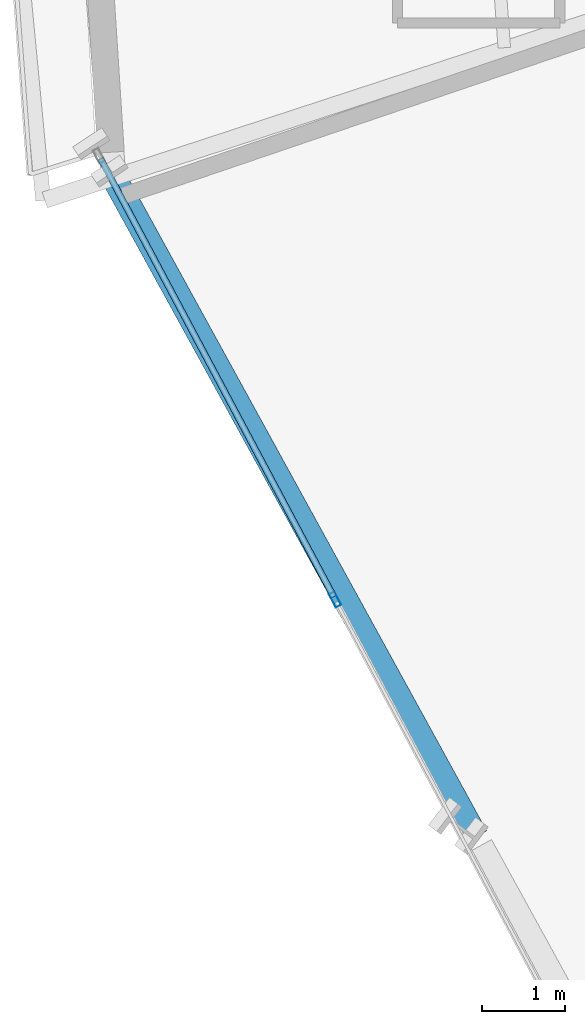
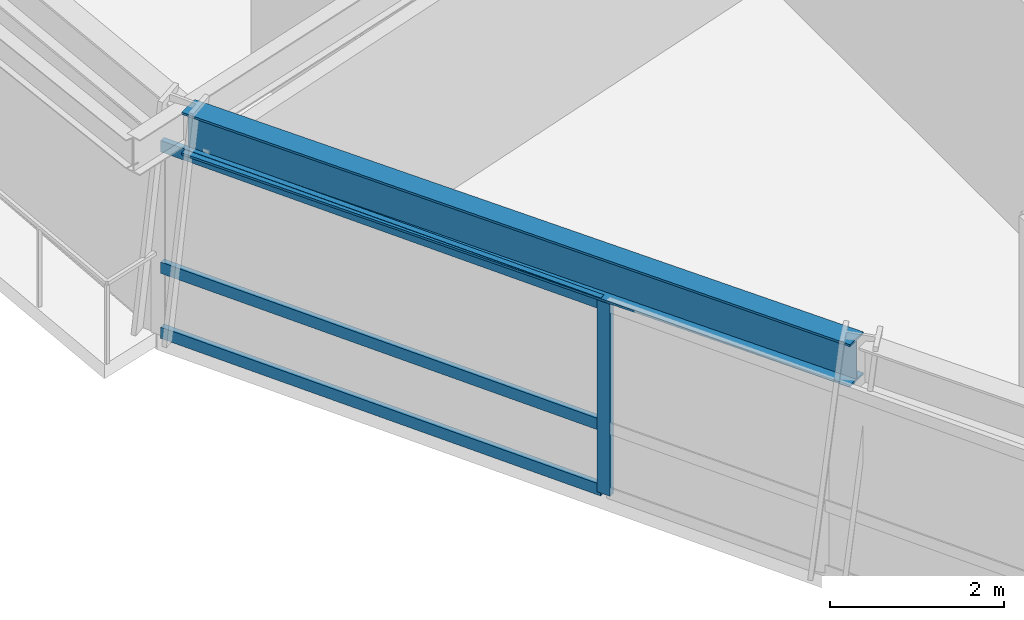
# One storey, part 3 of 21: 4 members, 1 beam, 1 element without a shape of its own.
"""IFC4 building model written with IfcOpenShell, lengths in metres."""

from ifc_helpers import new_model, si_unit, direction, frame, origin, origin_2d, place, context, subcontext, project, spatial, hollow_rectangle, i_section, extrude, source, transform, mapped, material, material_profile, profile_set, type_object, element, aggregate, save


model = new_model("IFC4")

# Units and contexts
model_context = context("Model", 3, precision=1e-05, world=origin(), true_north=direction((0.0, 1.0)))
body_context = subcontext(model_context, "Body", "Model", "MODEL_VIEW")
ifc_project = project(units=[si_unit("LENGTHUNIT", "METRE"), si_unit("AREAUNIT", "SQUARE_METRE"), si_unit("VOLUMEUNIT", "CUBIC_METRE"), si_unit("PLANEANGLEUNIT", "RADIAN"), si_unit("MASSUNIT", "GRAM", prefix="KILO")], contexts=[model_context])

# Site, building, storey
site_placement = place(None, origin())
site = spatial("IfcSite", under=ifc_project, at=site_placement, CompositionType="ELEMENT")
building_placement = place(site_placement, origin())
building = spatial("IfcBuilding", under=site, at=building_placement, Name="Olszyna Solenne Hotel", CompositionType="ELEMENT")
storey_placement = place(building_placement, frame((0.0, 0.0, 105.699951171875)))
storey = spatial("IfcBuildingStorey", under=building, at=storey_placement, Name="L27", CompositionType="ELEMENT", Elevation=105.699951171875)

# Beam
ifc_material_1 = material(Name="Steel S355J2", Category="steel")
ifc_material_profile_1 = material_profile(ifc_material_1, i_section(OverallWidth=0.300048828125, OverallDepth=0.60009765625, WebThickness=0.015380859375, FlangeThickness=0.030029296875, at=origin_2d()), Name="HEB 600", Category="load-bearing")
ifc_profile_set_1 = profile_set([ifc_material_profile_1], Name="Steel S355J2")
beam_type = type_object("IfcBeamType", Name="BM-S2", PredefinedType="BEAM", material=ifc_profile_set_1)
shared_shape_1 = source(origin(), body_context, "Body", "SweptSolid", [
    extrude(i_section(OverallWidth=0.300048828125, OverallDepth=0.60009765625, WebThickness=0.015380859375, FlangeThickness=0.030029296875, at=origin_2d()), origin(), (0.0, 0.0, 1.0), 8.98095703125),
])
beam_placement = place(storey_placement, frame((18.0087890625, 19.99560546875, 3.0), z_axis=(0.481330076751, -0.876539421369, 0.0), x_axis=(0.876539421369, 0.481330076751, 0.0)))
element("IfcBeam", 1, at=beam_placement, inside=storey, type_object=beam_type, Name="Perimeter spandrel beam BM-S2 B-L27-0816", PredefinedType="BEAM", context=body_context, shape_type="MappedRepresentation", body=[
    mapped(shared_shape_1, transform((0.0, 0.0, 0.0), x_axis=(1.0, 0.0, 0.0), y_axis=(0.0, 1.0, 0.0), z_axis=(0.0, 0.0, 1.0), scale=1.0)),
])

# Curtain wall, members
ifc_material_2 = material(Name="Anodised bronze aluminium", Category="aluminium")
curtain_wall_type = type_object("IfcCurtainWallType", Name="CW-SYS-3", PredefinedType="NOTDEFINED", material=ifc_material_2)
curtain_wall_placement = place(storey_placement, origin())
curtain_wall = element("IfcCurtainWall", 2, at=curtain_wall_placement, inside=storey, type_object=curtain_wall_type, Name="Unitised curtain wall CW-SYS-3 CW-L27-01", PredefinedType="NOTDEFINED")
ifc_material_profile_2 = material_profile(ifc_material_2, hollow_rectangle(XDim=0.074951171875, YDim=0.179931640625, WallThickness=0.00439453125, at=origin_2d()), Name="MULL 180x75x4.5", Category="load-bearing")
ifc_profile_set_2 = profile_set([ifc_material_profile_2], Name="Anodised bronze aluminium")
member_type_1 = type_object("IfcMemberType", Name="CW-M2", PredefinedType="MULLION", material=ifc_profile_set_2)
shared_shape_2 = source(origin(), body_context, "Body", "SweptSolid", [
    extrude(hollow_rectangle(XDim=0.074951171875, YDim=0.179931640625, WallThickness=0.00439453125, at=origin_2d()), origin(), (0.0, 0.0, 1.0), 2.692138671875),
])
member_1_placement = place(storey_placement, frame((20.642578125, 14.974609375, 0.0), z_axis=(0.0, 0.0, 1.0), x_axis=(0.882776566905, 0.46979307458, 0.0)))
member_1 = element("IfcMember", 3, at=member_1_placement, type_object=member_type_1, Name="Curtain-wall mullion CW-M2 CM-L27-01-02", PredefinedType="MULLION", context=body_context, shape_type="MappedRepresentation", body=[
    mapped(shared_shape_2, transform((0.0, 0.0, 0.0), x_axis=(1.0, 0.0, 0.0), y_axis=(0.0, 1.0, 0.0), z_axis=(0.0, 0.0, 1.0), scale=1.0)),
])
ifc_material_profile_3 = material_profile(ifc_material_2, hollow_rectangle(XDim=0.074951171875, YDim=0.159912109375, WallThickness=0.00390625, at=origin_2d()), Name="TRAN 160x75x4", Category="load-bearing")
ifc_profile_set_3 = profile_set([ifc_material_profile_3], Name="Anodised bronze aluminium")
member_type_2 = type_object("IfcMemberType", Name="CW-T1", PredefinedType="USERDEFINED", material=ifc_profile_set_3)
shared_shape_3 = source(origin(), body_context, "Body", "SweptSolid", [
    extrude(hollow_rectangle(XDim=0.074951171875, YDim=0.159912109375, WallThickness=0.00390625, at=origin_2d()), origin(), (0.0, 0.0, 1.0), 5.961669921875),
])
member_2_placement = place(storey_placement, frame((17.82421875, 20.2705078125, 0.03759765625), z_axis=(0.469788861841, -0.882778808813, 0.0), x_axis=(0.882778808813, 0.469788861841, 0.0)))
member_2 = element("IfcMember", 4, at=member_2_placement, type_object=member_type_2, Name="Curtain-wall transom CW-T1 CT-L27-01-01", ObjectType="TRANSOM", PredefinedType="USERDEFINED", context=body_context, shape_type="MappedRepresentation", body=[
    mapped(shared_shape_3, transform((0.0, 0.0, 0.0), x_axis=(1.0, 0.0, 0.0), y_axis=(0.0, 1.0, 0.0), z_axis=(0.0, 0.0, 1.0), scale=1.0)),
])
member_3_placement = place(storey_placement, frame((17.82421875, 20.2705078125, 0.949951171875), z_axis=(0.469788861841, -0.882778808813, 0.0), x_axis=(0.882778808813, 0.469788861841, 0.0)))
member_3 = element("IfcMember", 5, at=member_3_placement, type_object=member_type_2, Name="Curtain-wall transom CW-T1 CT-L27-01-02", ObjectType="TRANSOM", PredefinedType="USERDEFINED", context=body_context, shape_type="MappedRepresentation", body=[
    mapped(shared_shape_3, transform((0.0, 0.0, 0.0), x_axis=(1.0, 0.0, 0.0), y_axis=(0.0, 1.0, 0.0), z_axis=(0.0, 0.0, 1.0), scale=1.0)),
])
member_4_placement = place(storey_placement, frame((17.82421875, 20.2705078125, 2.654541015625), z_axis=(0.469788861841, -0.882778808813, 0.0), x_axis=(0.882778808813, 0.469788861841, 0.0)))
member_4 = element("IfcMember", 6, at=member_4_placement, type_object=member_type_2, Name="Curtain-wall transom CW-T1 CT-L27-01-03", ObjectType="TRANSOM", PredefinedType="USERDEFINED", context=body_context, shape_type="MappedRepresentation", body=[
    mapped(shared_shape_3, transform((0.0, 0.0, 0.0), x_axis=(1.0, 0.0, 0.0), y_axis=(0.0, 1.0, 0.0), z_axis=(0.0, 0.0, 1.0), scale=1.0)),
])
aggregate(curtain_wall, [member_1, member_2, member_3, member_4])

save(model, "model.ifc")
